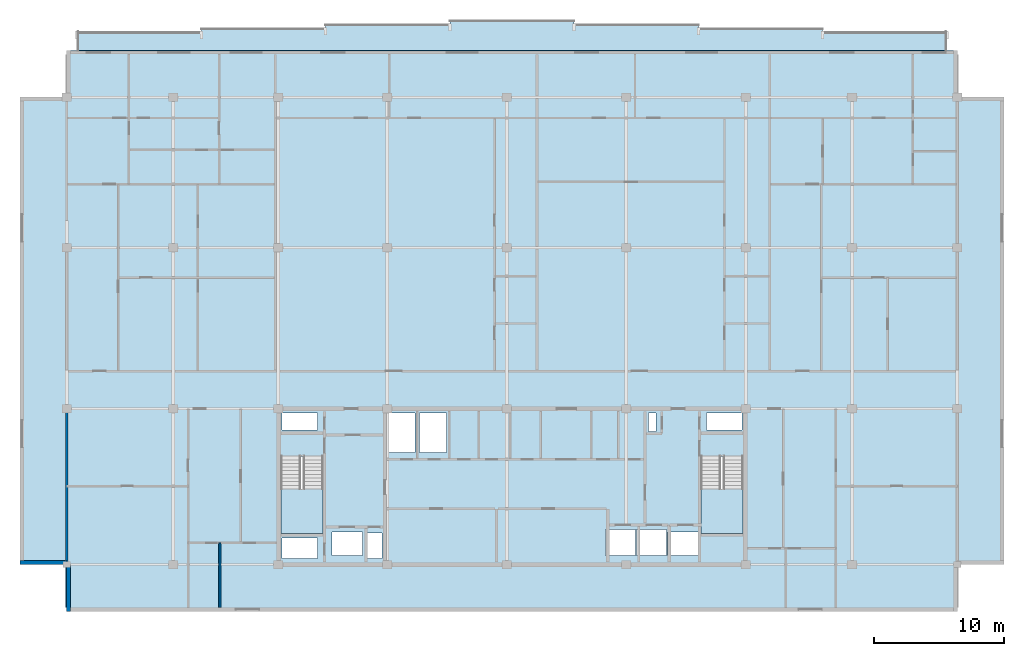
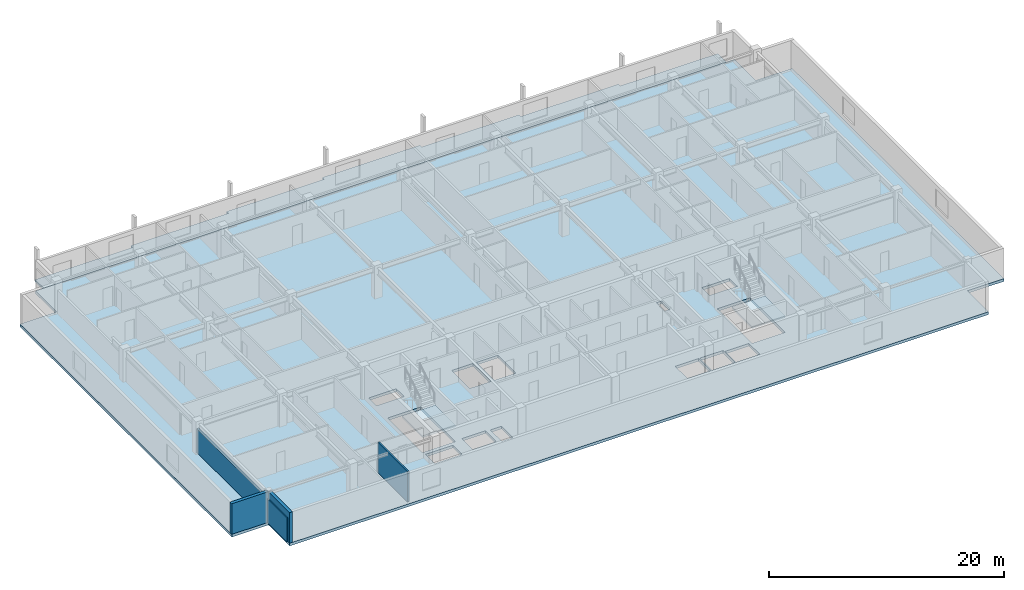
# One storey, part 2 of 10: 4 slabs, 4 walls, 2 elements without a shape of their own.
"""IFC4 building model written with IfcOpenShell, lengths in metres."""

from ifc_helpers import new_model, si_unit, direction, frame, frame_2d, origin, place, context, subcontext, project, spatial, polyline, rectangle, outline, extrude, material, layer, layer_set, type_object, element, aggregate, save


model = new_model("IFC4")

# Units and contexts
model_context = context("Model", 3, precision=1e-05, world=origin(), true_north=direction((0.0, 1.0)))
body_context = subcontext(model_context, "Body", "Model", "MODEL_VIEW")
ifc_project = project(units=[si_unit("LENGTHUNIT", "METRE"), si_unit("AREAUNIT", "SQUARE_METRE"), si_unit("VOLUMEUNIT", "CUBIC_METRE"), si_unit("PLANEANGLEUNIT", "RADIAN"), si_unit("MASSUNIT", "GRAM", prefix="KILO")], contexts=[model_context])

# Site, building, storey
site_placement = place(None, origin())
site = spatial("IfcSite", under=ifc_project, at=site_placement, CompositionType="ELEMENT")
building_placement = place(site_placement, origin())
building = spatial("IfcBuilding", under=site, at=building_placement, Name="Korimba Cascade Residences", CompositionType="ELEMENT")
storey_placement = place(building_placement, frame((0.0, 0.0, 242.449951171875)))
storey = spatial("IfcBuildingStorey", under=building, at=storey_placement, Name="L70", CompositionType="ELEMENT", Elevation=242.449951171875)

# Stair, slab
ifc_material_1 = material(Name="Concrete C50/60", Category="concrete")
stair_type_1 = type_object("IfcStairType", Name="STR-W1-20R-1725", PredefinedType="HALF_TURN_STAIR", material=ifc_material_1)
stair_1_placement = place(storey_placement, origin())
stair_1 = element("IfcStair", 1, at=stair_1_placement, inside=storey, type_object=stair_type_1, Name="L70 Tower 1 West Fire Stair ST-W1", PredefinedType="HALF_TURN_STAIR")
ifc_layer_1 = layer(ifc_material_1, 0.199951171875)
ifc_layer_set_1 = layer_set([ifc_layer_1], Name="Concrete C50/60")
slab_type_1 = type_object("IfcSlabType", Name="SLB-LND-220", PredefinedType="LANDING", material=ifc_layer_set_1)
slab_1_placement = place(storey_placement, frame((0.0, 0.0, 1.525146484375)))
slab_1 = element("IfcSlab", 2, at=slab_1_placement, type_object=slab_type_1, Name="ST-W1 landing 1", PredefinedType="LANDING", context=body_context, shape_type="SweptSolid", body=[
    extrude(outline(polyline([(76.300048828125, 61.030029296875), (76.300048828125, 57.60009765625), (79.5400390625, 57.60009765625), (79.5400390625, 61.030029296875), (76.300048828125, 61.030029296875)])), origin(), (0.0, 0.0, 1.0), 0.199951171875),
])
aggregate(stair_1, [slab_1])

stair_type_2 = type_object("IfcStairType", Name="STR-W2-20R-1725", PredefinedType="HALF_TURN_STAIR", material=ifc_material_1)
stair_2_placement = place(storey_placement, origin())
stair_2 = element("IfcStair", 3, at=stair_2_placement, inside=storey, type_object=stair_type_2, Name="L70 Tower 1 East Fire Stair ST-W2", PredefinedType="HALF_TURN_STAIR")
slab_2_placement = place(storey_placement, frame((0.0, 0.0, 1.525146484375)))
slab_2 = element("IfcSlab", 4, at=slab_2_placement, type_object=slab_type_1, Name="ST-W2 landing 1", PredefinedType="LANDING", context=body_context, shape_type="SweptSolid", body=[
    extrude(outline(polyline([(108.659912109375, 61.030029296875), (108.659912109375, 57.60009765625), (111.89990234375, 57.60009765625), (111.89990234375, 61.030029296875), (108.659912109375, 61.030029296875)])), origin(), (0.0, 0.0, 1.0), 0.199951171875),
])
aggregate(stair_2, [slab_2])

# Slabs
ifc_material_2 = material(Name="Precast concrete C40/50", Category="concrete")
ifc_layer_2 = layer(ifc_material_2, 0.239990234375)
ifc_layer_set_2 = layer_set([ifc_layer_2], Name="Precast concrete C40/50")
slab_type_2 = type_object("IfcSlabType", Name="SLB-LOG-240", PredefinedType="FLOOR", material=ifc_layer_set_2)
slab_3_placement = place(storey_placement, frame((0.0, 0.0, -0.239990234375)))
element("IfcSlab", 5, at=slab_3_placement, inside=storey, type_object=slab_type_2, Name="L70 Tower 1 North Loggia Slab", PredefinedType="FLOOR", context=body_context, shape_type="SweptSolid", body=[
    extrude(outline(polyline([(60.60009765625, 94.800048828125), (127.60009765625, 94.800048828125), (127.60009765625, 96.25), (118.028564453125, 96.25), (118.028564453125, 96.550048828125), (108.45703125, 96.550048828125), (108.45703125, 96.85009765625), (98.8857421875, 96.85009765625), (98.8857421875, 97.14990234375), (89.314208984375, 97.14990234375), (89.314208984375, 96.85009765625), (79.742919921875, 96.85009765625), (79.742919921875, 96.550048828125), (70.17138671875, 96.550048828125), (70.17138671875, 96.25), (60.60009765625, 96.25), (60.60009765625, 94.800048828125)])), origin(), (0.0, 0.0, 1.0), 0.239990234375),
])
ifc_layer_3 = layer(ifc_material_1, 0.280029296875)
ifc_layer_set_3 = layer_set([ifc_layer_3], Name="Concrete C50/60")
slab_type_3 = type_object("IfcSlabType", Name="SLB-TYP-280", PredefinedType="FLOOR", material=ifc_layer_set_3)
slab_4_placement = place(storey_placement, frame((0.0, 0.0, -0.280029296875)))
element("IfcSlab", 6, at=slab_4_placement, inside=storey, type_object=slab_type_3, Name="L70 Tower 1 Floor Slab", PredefinedType="FLOOR", context=body_context, shape_type="SweptSolid", body=[
    extrude(outline(polyline([(59.800048828125, 51.60009765625), (128.39990234375, 51.60009765625), (128.39990234375, 55.199951171875), (132.0, 55.199951171875), (132.0, 91.199951171875), (128.39990234375, 91.199951171875), (128.39990234375, 94.800048828125), (59.800048828125, 94.800048828125), (59.800048828125, 91.199951171875), (56.199951171875, 91.199951171875), (56.199951171875, 55.199951171875), (59.800048828125, 55.199951171875), (59.800048828125, 51.60009765625)]), holes=[polyline([(76.300048828125, 63.514892578125), (76.300048828125, 57.60009765625), (79.5400390625, 57.60009765625), (79.5400390625, 63.514892578125), (76.300048828125, 63.514892578125)]), polyline([(108.659912109375, 63.514892578125), (108.659912109375, 57.60009765625), (111.89990234375, 57.60009765625), (111.89990234375, 63.514892578125), (108.659912109375, 63.514892578125)]), polyline([(80.22998046875, 55.8798828125), (82.570068359375, 55.8798828125), (82.570068359375, 57.719970703125), (80.22998046875, 57.719970703125), (80.22998046875, 55.8798828125)]), polyline([(106.080078125, 55.8798828125), (108.419921875, 55.8798828125), (108.419921875, 57.719970703125), (106.080078125, 57.719970703125), (106.080078125, 55.8798828125)]), polyline([(101.304931640625, 55.8798828125), (103.594970703125, 55.8798828125), (103.594970703125, 57.919921875), (101.304931640625, 57.919921875), (101.304931640625, 55.8798828125)]), polyline([(103.705078125, 55.8798828125), (105.9951171875, 55.8798828125), (105.9951171875, 57.919921875), (103.705078125, 57.919921875), (103.705078125, 55.8798828125)]), polyline([(82.97998046875, 55.679931640625), (84.080078125, 55.679931640625), (84.080078125, 57.6201171875), (82.97998046875, 57.6201171875), (82.97998046875, 55.679931640625)]), polyline([(76.39990234375, 65.56005859375), (79.10009765625, 65.56005859375), (79.10009765625, 66.8798828125), (76.39990234375, 66.8798828125), (76.39990234375, 65.56005859375)]), polyline([(76.39990234375, 55.679931640625), (79.10009765625, 55.679931640625), (79.10009765625, 57.239990234375), (76.39990234375, 57.239990234375), (76.39990234375, 55.679931640625)]), polyline([(84.530029296875, 63.820068359375), (86.6201171875, 63.820068359375), (86.6201171875, 66.8798828125), (84.530029296875, 66.8798828125), (84.530029296875, 63.820068359375)]), polyline([(86.97998046875, 63.820068359375), (89.070068359375, 63.820068359375), (89.070068359375, 66.8798828125), (86.97998046875, 66.8798828125), (86.97998046875, 63.820068359375)]), polyline([(104.6201171875, 65.4599609375), (105.179931640625, 65.4599609375), (105.179931640625, 66.8798828125), (104.6201171875, 66.8798828125), (104.6201171875, 65.4599609375)]), polyline([(109.080078125, 65.56005859375), (111.800048828125, 65.56005859375), (111.800048828125, 66.8798828125), (109.080078125, 66.8798828125), (109.080078125, 65.56005859375)])]), origin(), (0.0, 0.0, 1.0), 0.280029296875),
])

# Walls
ifc_layer_4 = layer(ifc_material_2, 0.300048828125)
ifc_layer_set_4 = layer_set([ifc_layer_4], Name="Precast concrete C40/50")
wall_type_1 = type_object("IfcWallType", Name="EW-STONE-300", PredefinedType="STANDARD", material=ifc_layer_set_4)
wall_1_placement = place(storey_placement, frame((56.199951171875, 55.35009765625, 0.0), z_axis=(0.0, 0.0, 1.0), x_axis=(1.0, 0.0, 0.0)))
element("IfcWall", 7, at=wall_1_placement, inside=storey, type_object=wall_type_1, Name="L70 T1 Perimeter Stone Wall E10", PredefinedType="STANDARD", context=body_context, shape_type="SweptSolid", body=[
    extrude(rectangle(XDim=3.60009765625, YDim=0.300048828125, at=frame_2d((1.800048828125, 0.0))), origin(), (0.0, 0.0, 1.0), 3.170166015625),
])
wall_2_placement = place(storey_placement, frame((59.949951171875, 55.199951171875, 0.0), z_axis=(0.0, 0.0, 1.0), x_axis=(0.0, -1.0, 0.0)))
element("IfcWall", 8, at=wall_2_placement, inside=storey, type_object=wall_type_1, Name="L70 T1 Perimeter Stone Wall E11", PredefinedType="STANDARD", context=body_context, shape_type="SweptSolid", body=[
    extrude(rectangle(XDim=3.599853515625, YDim=0.300048828125, at=frame_2d((1.7998046875, 0.0))), origin(), (0.0, 0.0, 1.0), 3.170166015625),
])
ifc_layer_5 = layer(ifc_material_2, 0.199951171875)
ifc_layer_set_5 = layer_set([ifc_layer_5], Name="Precast concrete C40/50")
wall_type_2 = type_object("IfcWallType", Name="WAL-IT-200", PredefinedType="PARTITIONING", material=ifc_layer_set_5)
wall_3_placement = place(storey_placement, frame((59.800048828125, 51.89990234375, 0.0), z_axis=(0.0, 0.0, 1.0), x_axis=(0.0, 1.0, 0.0)))
element("IfcWall", 9, at=wall_3_placement, inside=storey, type_object=wall_type_2, Name="L70 Partition Wall WAL-L70-T1-FW-WL", PredefinedType="PARTITIONING", context=body_context, shape_type="SweptSolid", body=[
    extrude(rectangle(XDim=15.300048828125, YDim=0.199951171875, at=frame_2d((7.64990234375, 0.0))), origin(), (0.0, 0.0, 1.0), 2.47705078125),
])
ifc_material_3 = material(Name="Insulated Acoustic Stud Partition", Category="gypsum")
ifc_layer_6 = layer(ifc_material_3, 0.14990234375)
ifc_layer_set_6 = layer_set([ifc_layer_6], Name="Insulated Acoustic Stud Partition")
wall_type_3 = type_object("IfcWallType", Name="WAL-PART-150", PredefinedType="PARTITIONING", material=ifc_layer_set_6)
wall_4_placement = place(storey_placement, frame((71.60009765625, 51.89990234375, 0.0), z_axis=(0.0, 0.0, 1.0), x_axis=(0.0, 1.0, 0.0)))
element("IfcWall", 10, at=wall_4_placement, inside=storey, type_object=wall_type_3, Name="L70 Partition Wall WAL-L70-T1-FW-VS", PredefinedType="PARTITIONING", context=body_context, shape_type="SweptSolid", body=[
    extrude(rectangle(XDim=4.97021484375, YDim=0.14990234375, at=frame_2d((2.485107421875, 0.0))), origin(), (0.0, 0.0, 1.0), 3.170166015625),
])

save(model, "model.ifc")
